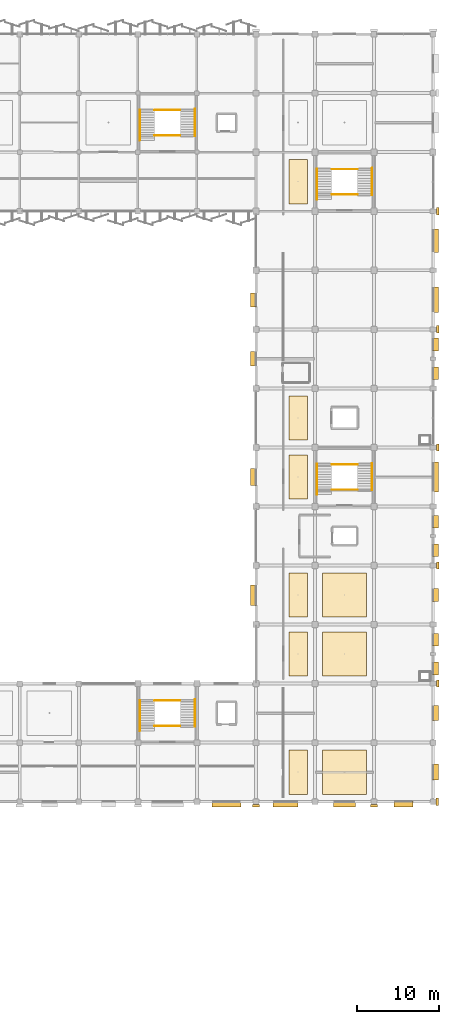
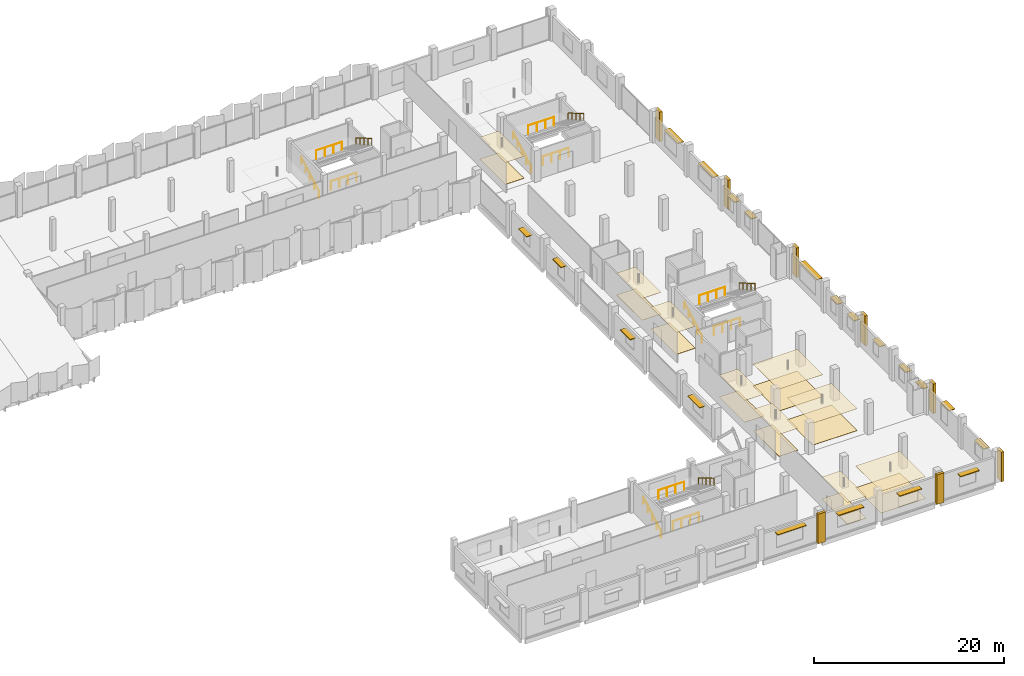
# One storey, part 107 of 108: 26 coverings, 20 shading devices, 16 railings.
"""IFC4 building model written with IfcOpenShell, lengths in metres."""

import ifcopenshell
import ifcopenshell.guid

model = None  # the IFC model being written
_history = None  # IfcOwnerHistory: only IFC2X3 demands one
_inside = {}  # id of a spatial element -> (the spatial element, [elements in it])
_under = {}  # id of a project, library or spatial element -> (it, [spatial elements below it])
_declared = {}  # id of a project -> (the project, [libraries it declares])
_typed = {}  # id of a type object -> (the type object, [elements of that type])
_made_of = {}  # id of a material, layer set ... -> (it, [elements and type objects made of it])


def new_model(schema):
    """Start an empty IFC model of exactly this schema.

    Asked for "IFC4X3", IfcOpenShell would pick the latest addendum, in which some entities
    have other attributes; the version numbers below select the first issue.
    IFC2X3 requires an IfcOwnerHistory on every rooted entity: one is made here for all.
    """
    global model, _history
    if schema == "IFC4X3":
        model = ifcopenshell.file(schema_version=(4, 3, 0, 0))
    else:
        model = ifcopenshell.file(schema=schema)
    _inside.clear()
    _under.clear()
    _declared.clear()
    _typed.clear()
    _made_of.clear()
    _history = None
    if model.schema == "IFC2X3":
        org = make("IfcOrganization", Name="unknown")
        user = make(
            "IfcPersonAndOrganization",
            ThePerson=make("IfcPerson", FamilyName="unknown"),
            TheOrganization=org,
        )
        app = make(
            "IfcApplication",
            ApplicationDeveloper=org,
            Version="unknown",
            ApplicationFullName="unknown",
            ApplicationIdentifier="unknown",
        )
        _history = make(
            "IfcOwnerHistory",
            OwningUser=user,
            OwningApplication=app,
            ChangeAction="ADDED",
            CreationDate=0,
        )
    return model


def make(cls, **values):
    """One entity of the class cls with the attributes given. An attribute that is None is left unset."""
    return model.create_entity(
        cls, **{name: value for name, value in values.items() if value is not None}
    )


def rooted(cls, **values):
    """An entity with a GlobalId (a new one), such as an element, a storey or a relation."""
    return make(cls, GlobalId=ifcopenshell.guid.new(), OwnerHistory=_history, **values)


def si_unit(unit_type, name, prefix=None):
    """IfcSIUnit, for example si_unit("LENGTHUNIT", "METRE", prefix="MILLI")."""
    return make("IfcSIUnit", UnitType=unit_type, Prefix=prefix, Name=name)


def assignment(units):
    """IfcUnitAssignment: the units of a project."""
    return None if units is None else make("IfcUnitAssignment", Units=units)


def point(xyz):
    """IfcCartesianPoint."""
    return None if xyz is None else make("IfcCartesianPoint", Coordinates=xyz)


def direction(xyz):
    """IfcDirection."""
    return None if xyz is None else make("IfcDirection", DirectionRatios=xyz)


def frame(location, z_axis=None, x_axis=None):
    """IfcAxis2Placement3D, a coordinate frame: its origin and axes. An axis left out is left unset."""
    return make(
        "IfcAxis2Placement3D",
        Location=point(location),
        Axis=direction(z_axis),
        RefDirection=direction(x_axis),
    )


def frame_2d(location, x_axis=None):
    """IfcAxis2Placement2D, a coordinate frame in the plane: its origin and x axis."""
    return make(
        "IfcAxis2Placement2D", Location=point(location), RefDirection=direction(x_axis)
    )


def origin():
    """The frame at (0, 0, 0) with its axes left unset."""
    return frame((0.0, 0.0, 0.0))


def origin_2d():
    """The frame at (0, 0) in the plane with its x axis left unset."""
    return frame_2d((0.0, 0.0))


def place(relative_to, where):
    """IfcLocalPlacement: puts the frame where relative to a parent placement (None: the world)."""
    return make(
        "IfcLocalPlacement", PlacementRelTo=relative_to, RelativePlacement=where
    )


def context(
    kind, dimensions, precision=None, world=None, true_north=None, identifier=None
):
    """IfcGeometricRepresentationContext, for example the 3D "Model" context."""
    return make(
        "IfcGeometricRepresentationContext",
        ContextIdentifier=identifier,
        ContextType=kind,
        CoordinateSpaceDimension=dimensions,
        Precision=precision,
        WorldCoordinateSystem=world,
        TrueNorth=true_north,
    )


def subcontext(parent, identifier, kind, view, scale=None):
    """IfcGeometricRepresentationSubContext, for example "Body" below "Model"."""
    return make(
        "IfcGeometricRepresentationSubContext",
        ContextIdentifier=identifier,
        ContextType=kind,
        ParentContext=parent,
        TargetScale=scale,
        TargetView=view,
    )


def project(units=None, contexts=None):
    """IfcProject with its units and contexts."""
    return rooted(
        "IfcProject",
        Name="project",
        RepresentationContexts=contexts,
        UnitsInContext=assignment(units),
    )


def spatial(cls, under=None, at=None, **own):
    """A site, building, storey or space (cls), placed at a placement, below another one or the project."""
    s = rooted(cls, ObjectPlacement=at, **own)
    if under is not None:
        _under.setdefault(under.id(), (under, []))[1].append(s)
    return s


def polyline(points):
    """IfcPolyline through the points."""
    return make("IfcPolyline", Points=[point(p) for p in points])


def profile(cls, at=None, kind="AREA", **sizes):
    """A parametric profile (cls). Its sizes go by their IFC names, for example OverallWidth=200.0."""
    return make(cls, ProfileType=kind, Position=at, **sizes)


def rectangle(**sizes):
    """IfcRectangleProfileDef."""
    return profile("IfcRectangleProfileDef", **sizes)


def circle(**sizes):
    """IfcCircleProfileDef."""
    return profile("IfcCircleProfileDef", **sizes)


def outline(outer, holes=None, kind="AREA"):
    """IfcArbitraryClosedProfileDef: a profile drawn as a closed curve; with holes, ...WithVoids."""
    if holes is None:
        return make("IfcArbitraryClosedProfileDef", ProfileType=kind, OuterCurve=outer)
    return make(
        "IfcArbitraryProfileDefWithVoids",
        ProfileType=kind,
        OuterCurve=outer,
        InnerCurves=holes,
    )


def extrude(swept, where, along, depth):
    """IfcExtrudedAreaSolid: the profile swept, set in the frame where, extruded along a direction by depth."""
    return make(
        "IfcExtrudedAreaSolid",
        SweptArea=swept,
        Position=where,
        ExtrudedDirection=direction(along),
        Depth=depth,
    )


def shape(context_of_items, identifier, shape_type, items):
    """IfcShapeRepresentation: the items that make up one representation, for example the "Body"."""
    return make(
        "IfcShapeRepresentation",
        ContextOfItems=context_of_items,
        RepresentationIdentifier=identifier,
        RepresentationType=shape_type,
        Items=items,
    )


def material(Name=None, Category=None):
    """IfcMaterial."""
    return make("IfcMaterial", Name=Name, Category=Category)


def layer(
    of_material, thickness, ventilated=None, Name=None, Category=None, Priority=None
):
    """IfcMaterialLayer: one layer of a wall or slab, of a material (None: an air gap)."""
    return make(
        "IfcMaterialLayer",
        Material=of_material,
        LayerThickness=thickness,
        IsVentilated=ventilated,
        Name=Name,
        Category=Category,
        Priority=Priority,
    )


def layer_set(layers, Name=None):
    """IfcMaterialLayerSet."""
    return make("IfcMaterialLayerSet", MaterialLayers=layers, LayerSetName=Name)


def made_of(thing, what):
    """Note that an element or type object is made of a material, layer set ...; save() writes the relation."""
    if what is not None:
        _made_of.setdefault(what.id(), (what, []))[1].append(thing)
    return thing


def type_object(cls, material=None, **own):
    """A type object (cls), such as IfcWallType, which elements share."""
    return made_of(rooted(cls, **own), material)


def element(
    cls,
    number,
    at=None,
    inside=None,
    cuts=None,
    type_object=None,
    material=None,
    context=None,
    identifier="Body",
    shape_type=None,
    held_by="IfcProductDefinitionShape",
    body=None,
    shapes=None,
    **own,
):
    """One element of the class cls, such as IfcWall. Its Tag is "e" and its number.

    at: its placement. inside: the storey or other place that contains it. cuts: it is an
    opening in that element (IfcRelVoidsElement). A single representation is given by context,
    identifier, shape_type and body (its items); several are given by shapes. held_by: the class
    of the entity that holds the representations. save() writes the other relations.
    """
    e = rooted(cls, Tag="e%d" % number, ObjectPlacement=at, **own)
    if body is not None:
        shapes = [shape(context, identifier, shape_type, body)]
    if shapes is not None:
        e.Representation = make(held_by, Representations=shapes)
    if inside is not None:
        _inside.setdefault(inside.id(), (inside, []))[1].append(e)
    if cuts is not None:
        rooted(
            "IfcRelVoidsElement", RelatingBuildingElement=cuts, RelatedOpeningElement=e
        )
    if type_object is not None:
        _typed.setdefault(type_object.id(), (type_object, []))[1].append(e)
    return made_of(e, material)


def aggregate(whole, parts):
    """IfcRelAggregates: a whole, such as a stair, and the parts it consists of."""
    return rooted("IfcRelAggregates", RelatingObject=whole, RelatedObjects=parts)


def save(model, path):
    """Write the relations noted so far, then the file.

    IfcRelAggregates (storeys below a building ...), IfcRelContainedInSpatialStructure (elements
    in a storey), IfcRelDefinesByType, IfcRelAssociatesMaterial and IfcRelDeclares: one each for
    every whole, place, type object, material and project.
    """
    for whole, parts in _under.values():
        aggregate(whole, parts)
    for where, things in _inside.values():
        rooted(
            "IfcRelContainedInSpatialStructure",
            RelatedElements=things,
            RelatingStructure=where,
        )
    for kind, things in _typed.values():
        rooted("IfcRelDefinesByType", RelatedObjects=things, RelatingType=kind)
    for what, things in _made_of.values():
        rooted("IfcRelAssociatesMaterial", RelatedObjects=things, RelatingMaterial=what)
    for by, libraries in _declared.values():
        rooted("IfcRelDeclares", RelatingContext=by, RelatedDefinitions=libraries)
    model.write(path)


model = new_model("IFC4")

# Units and contexts
model_context = context("Model", 3, precision=1e-05, world=origin(), true_north=direction((0.0, 1.0)))
body_context = subcontext(model_context, "Body", "Model", "MODEL_VIEW")
ifc_project = project(units=[si_unit("LENGTHUNIT", "METRE"), si_unit("AREAUNIT", "SQUARE_METRE"), si_unit("VOLUMEUNIT", "CUBIC_METRE"), si_unit("PLANEANGLEUNIT", "RADIAN"), si_unit("MASSUNIT", "GRAM", prefix="KILO")], contexts=[model_context])

# Site, building, storey
site_placement = place(None, origin())
site = spatial("IfcSite", under=ifc_project, at=site_placement, CompositionType="ELEMENT")
building_placement = place(site_placement, origin())
building = spatial("IfcBuilding", under=site, at=building_placement, Name="Kangsadwip Square Police Headquarters", CompositionType="ELEMENT")
storey_placement = place(building_placement, frame((0.0, 0.0, 9.449951171875)))
storey = spatial("IfcBuildingStorey", under=building, at=storey_placement, Name="L02", CompositionType="ELEMENT", Elevation=9.449951171875)

# Railings
ifc_material_1 = material(Name="Structural steel IS 2062 E250 (Grade 250, 250 MPa)", Category="steel")
railing_type_1 = type_object("IfcRailingType", Name="BalustradeGuard1100", PredefinedType="BALUSTRADE", material=ifc_material_1)
for number, where, name in (
    (1, (153.22998046875, 59.639892578125, 0.0), "Stair Guard ST-03 L02-82"),
    (2, (153.22998046875, 62.719970703125, 2.10595703125), "Stair Guard ST-03 L02-83"),
    (3, (153.22998046875, 95.639892578125, 0.0), "Stair Guard ST-04 L02-114"),
    (4, (153.22998046875, 98.719970703125, 2.10595703125), "Stair Guard ST-04 L02-115"),
    (5, (131.6298828125, 102.840087890625, 0.0), "Stair Guard ST-05 L02-134"),
    (6, (131.6298828125, 105.919921875, 2.10595703125), "Stair Guard ST-05 L02-135"),
    (7, (131.6298828125, 30.840087890625, 0.0), "Stair Guard ST-06 L02-150"),
    (8, (131.6298828125, 33.919921875, 2.10595703125), "Stair Guard ST-06 L02-151"),
):
    element("IfcRailing", number, at=place(storey_placement, frame(where)), inside=storey, type_object=railing_type_1, Name=name, PredefinedType="BALUSTRADE", context=body_context, shape_type="SweptSolid", body=[
        extrude(circle(Radius=0.02392578125, at=origin_2d()), frame((0.0, 0.0, 1.09619140625), z_axis=(1.0, 0.0, 0.0), x_axis=(0.0, 1.0, 0.0)), (0.0, 0.0, 1.0), 3.14013671875),
        extrude(circle(Radius=0.02099609375, at=origin_2d()), origin(), (0.0, 0.0, 1.0), 1.072021484375),
        extrude(circle(Radius=0.02099609375, at=origin_2d()), frame((1.046630859375, 0.0, 0.0)), (0.0, 0.0, 1.0), 1.072021484375),
        extrude(circle(Radius=0.02099609375, at=origin_2d()), frame((2.093505859375, 0.0, 0.0)), (0.0, 0.0, 1.0), 1.072021484375),
        extrude(circle(Radius=0.02099609375, at=origin_2d()), frame((3.14013671875, 0.0, 0.0)), (0.0, 0.0, 1.0), 1.072021484375),
    ])

# Coverings
ifc_material_2 = material(Name="Seamless anti-static epoxy and polished Kota stone interior flooring", Category="masonry")
ifc_layer_1 = layer(ifc_material_2, 0.02001953125)
ifc_layer_set_1 = layer_set([ifc_layer_1], Name="Seamless anti-static epoxy and polished Kota stone interior flooring")
covering_type_1 = type_object("IfcCoveringType", Name="InteriorStoneEpoxyFloor", PredefinedType="FLOORING", material=ifc_layer_set_1)
covering_1_placement = place(storey_placement, origin())
element("IfcCovering", 9, at=covering_1_placement, inside=storey, type_object=covering_type_1, Name="Interior Floor Finish L02-089", PredefinedType="FLOORING", context=body_context, shape_type="SweptSolid", body=[
    extrude(outline(polyline([(148.0, 94.5), (150.300048828125, 94.5), (150.300048828125, 99.89990234375), (148.0, 99.89990234375), (148.0, 94.5)])), origin(), (0.0, 0.0, 1.0), 0.02001953125),
])
covering_2_placement = place(storey_placement, origin())
element("IfcCovering", 10, at=covering_2_placement, inside=storey, type_object=covering_type_1, Name="Interior Floor Finish L02-101", PredefinedType="FLOORING", context=body_context, shape_type="SweptSolid", body=[
    extrude(outline(polyline([(148.0, 36.89990234375), (150.300048828125, 36.89990234375), (150.300048828125, 42.300048828125), (148.0, 42.300048828125), (148.0, 36.89990234375)])), origin(), (0.0, 0.0, 1.0), 0.02001953125),
])
covering_3_placement = place(storey_placement, origin())
element("IfcCovering", 11, at=covering_3_placement, inside=storey, type_object=covering_type_1, Name="Interior Floor Finish L02-102", PredefinedType="FLOORING", context=body_context, shape_type="SweptSolid", body=[
    extrude(outline(polyline([(152.10009765625, 36.89990234375), (157.5, 36.89990234375), (157.5, 42.300048828125), (152.10009765625, 42.300048828125), (152.10009765625, 36.89990234375)])), origin(), (0.0, 0.0, 1.0), 0.02001953125),
])
covering_4_placement = place(storey_placement, origin())
element("IfcCovering", 12, at=covering_4_placement, inside=storey, type_object=covering_type_1, Name="Interior Floor Finish L02-103", PredefinedType="FLOORING", context=body_context, shape_type="SweptSolid", body=[
    extrude(outline(polyline([(148.0, 44.10009765625), (150.300048828125, 44.10009765625), (150.300048828125, 49.5), (148.0, 49.5), (148.0, 44.10009765625)])), origin(), (0.0, 0.0, 1.0), 0.02001953125),
])
covering_5_placement = place(storey_placement, origin())
element("IfcCovering", 13, at=covering_5_placement, inside=storey, type_object=covering_type_1, Name="Interior Floor Finish L02-104", PredefinedType="FLOORING", context=body_context, shape_type="SweptSolid", body=[
    extrude(outline(polyline([(152.10009765625, 44.10009765625), (157.5, 44.10009765625), (157.5, 49.5), (152.10009765625, 49.5), (152.10009765625, 44.10009765625)])), origin(), (0.0, 0.0, 1.0), 0.02001953125),
])
covering_6_placement = place(storey_placement, origin())
element("IfcCovering", 14, at=covering_6_placement, inside=storey, type_object=covering_type_1, Name="Interior Floor Finish L02-105", PredefinedType="FLOORING", context=body_context, shape_type="SweptSolid", body=[
    extrude(outline(polyline([(148.0, 58.5), (150.300048828125, 58.5), (150.300048828125, 63.89990234375), (148.0, 63.89990234375), (148.0, 58.5)])), origin(), (0.0, 0.0, 1.0), 0.02001953125),
])
covering_7_placement = place(storey_placement, origin())
element("IfcCovering", 15, at=covering_7_placement, inside=storey, type_object=covering_type_1, Name="Interior Floor Finish L02-106", PredefinedType="FLOORING", context=body_context, shape_type="SweptSolid", body=[
    extrude(outline(polyline([(148.0, 65.699951171875), (150.300048828125, 65.699951171875), (150.300048828125, 71.10009765625), (148.0, 71.10009765625), (148.0, 65.699951171875)])), origin(), (0.0, 0.0, 1.0), 0.02001953125),
])
covering_8_placement = place(storey_placement, origin())
element("IfcCovering", 16, at=covering_8_placement, inside=storey, type_object=covering_type_1, Name="Interior Floor Finish L02-109", PredefinedType="FLOORING", context=body_context, shape_type="SweptSolid", body=[
    extrude(outline(polyline([(148.0, 22.5), (150.300048828125, 22.5), (150.300048828125, 27.89990234375), (148.0, 27.89990234375), (148.0, 22.5)])), origin(), (0.0, 0.0, 1.0), 0.02001953125),
])
covering_9_placement = place(storey_placement, origin())
element("IfcCovering", 17, at=covering_9_placement, inside=storey, type_object=covering_type_1, Name="Interior Floor Finish L02-110", PredefinedType="FLOORING", context=body_context, shape_type="SweptSolid", body=[
    extrude(outline(polyline([(152.10009765625, 22.5), (157.5, 22.5), (157.5, 27.89990234375), (152.10009765625, 27.89990234375), (152.10009765625, 22.5)])), origin(), (0.0, 0.0, 1.0), 0.02001953125),
])

# Railings
ifc_material_3 = material(Name="Structural steel IS 2062 E250 (Grade 250, 250 MPa)", Category="steel")
railing_type_2 = type_object("IfcRailingType", Name="StairPitchHandrail900", PredefinedType="HANDRAIL", material=ifc_material_3)
railing_1_placement = place(storey_placement, frame((151.43994140625, 59.0400390625, 0.0)))
element("IfcRailing", 18, at=railing_1_placement, inside=storey, type_object=railing_type_2, Name="Stair Handrail ST-03 L02-84", PredefinedType="HANDRAIL", context=body_context, shape_type="SweptSolid", body=[
    extrude(circle(Radius=0.02392578125, at=origin_2d()), frame((0.0, 0.0, 0.8759765625), z_axis=(0.0, 0.870225440575, 0.492653714668), x_axis=(-1.0, 0.0, 0.0)), (0.0, 0.0, 1.0), 4.274658203125),
    extrude(circle(Radius=0.02099609375, at=origin_2d()), origin(), (0.0, 0.0, 1.0), 0.851806640625),
    extrude(circle(Radius=0.02099609375, at=origin_2d()), frame((0.0, 0.929931640625, 0.5263671875)), (0.0, 0.0, 1.0), 0.851806640625),
    extrude(circle(Radius=0.02099609375, at=origin_2d()), frame((0.0, 1.85986328125, 1.052978515625)), (0.0, 0.0, 1.0), 0.851806640625),
    extrude(circle(Radius=0.02099609375, at=origin_2d()), frame((0.0, 2.7900390625, 1.57958984375)), (0.0, 0.0, 1.0), 0.851806640625),
    extrude(circle(Radius=0.02099609375, at=origin_2d()), frame((0.0, 3.719970703125, 2.10595703125)), (0.0, 0.0, 1.0), 0.851806640625),
])
railing_2_placement = place(storey_placement, frame((158.159912109375, 62.860107421875, 2.10595703125)))
element("IfcRailing", 19, at=railing_2_placement, inside=storey, type_object=railing_type_2, Name="Stair Handrail ST-03 L02-85", PredefinedType="HANDRAIL", context=body_context, shape_type="SweptSolid", body=[
    extrude(circle(Radius=0.02392578125, at=origin_2d()), frame((0.0, 0.0, 0.8759765625), z_axis=(0.0, -0.860248887005, 0.509874349626), x_axis=(1.0, 0.0, 0.0)), (0.0, 0.0, 1.0), 3.81298828125),
    extrude(circle(Radius=0.02099609375, at=origin_2d()), origin(), (0.0, 0.0, 1.0), 0.851806640625),
    extrude(circle(Radius=0.02099609375, at=origin_2d()), frame((0.0, -0.820068359375, 0.486083984375)), (0.0, 0.0, 1.0), 0.851806640625),
    extrude(circle(Radius=0.02099609375, at=origin_2d()), frame((0.0, -1.64013671875, 0.97216796875)), (0.0, 0.0, 1.0), 0.851806640625),
    extrude(circle(Radius=0.02099609375, at=origin_2d()), frame((0.0, -2.4599609375, 1.4580078125)), (0.0, 0.0, 1.0), 0.851806640625),
    extrude(circle(Radius=0.02099609375, at=origin_2d()), frame((0.0, -3.280029296875, 1.944091796875)), (0.0, 0.0, 1.0), 0.851806640625),
])
railing_3_placement = place(storey_placement, frame((151.43994140625, 95.0400390625, 0.0)))
element("IfcRailing", 20, at=railing_3_placement, inside=storey, type_object=railing_type_2, Name="Stair Handrail ST-04 L02-116", PredefinedType="HANDRAIL", context=body_context, shape_type="SweptSolid", body=[
    extrude(circle(Radius=0.02392578125, at=origin_2d()), frame((0.0, 0.0, 0.8759765625), z_axis=(0.0, 0.870225440575, 0.492653714668), x_axis=(-1.0, 0.0, 0.0)), (0.0, 0.0, 1.0), 4.274658203125),
    extrude(circle(Radius=0.02099609375, at=origin_2d()), origin(), (0.0, 0.0, 1.0), 0.851806640625),
    extrude(circle(Radius=0.02099609375, at=origin_2d()), frame((0.0, 0.929931640625, 0.5263671875)), (0.0, 0.0, 1.0), 0.851806640625),
    extrude(circle(Radius=0.02099609375, at=origin_2d()), frame((0.0, 1.85986328125, 1.052978515625)), (0.0, 0.0, 1.0), 0.851806640625),
    extrude(circle(Radius=0.02099609375, at=origin_2d()), frame((0.0, 2.7900390625, 1.57958984375)), (0.0, 0.0, 1.0), 0.851806640625),
    extrude(circle(Radius=0.02099609375, at=origin_2d()), frame((0.0, 3.719970703125, 2.10595703125)), (0.0, 0.0, 1.0), 0.851806640625),
])
railing_4_placement = place(storey_placement, frame((158.159912109375, 98.860107421875, 2.10595703125)))
element("IfcRailing", 21, at=railing_4_placement, inside=storey, type_object=railing_type_2, Name="Stair Handrail ST-04 L02-117", PredefinedType="HANDRAIL", context=body_context, shape_type="SweptSolid", body=[
    extrude(circle(Radius=0.02392578125, at=origin_2d()), frame((0.0, 0.0, 0.8759765625), z_axis=(0.0, -0.860248887005, 0.509874349626), x_axis=(1.0, 0.0, 0.0)), (0.0, 0.0, 1.0), 3.81298828125),
    extrude(circle(Radius=0.02099609375, at=origin_2d()), origin(), (0.0, 0.0, 1.0), 0.851806640625),
    extrude(circle(Radius=0.02099609375, at=origin_2d()), frame((0.0, -0.820068359375, 0.486083984375)), (0.0, 0.0, 1.0), 0.851806640625),
    extrude(circle(Radius=0.02099609375, at=origin_2d()), frame((0.0, -1.64013671875, 0.97216796875)), (0.0, 0.0, 1.0), 0.851806640625),
    extrude(circle(Radius=0.02099609375, at=origin_2d()), frame((0.0, -2.4599609375, 1.4580078125)), (0.0, 0.0, 1.0), 0.851806640625),
    extrude(circle(Radius=0.02099609375, at=origin_2d()), frame((0.0, -3.280029296875, 1.944091796875)), (0.0, 0.0, 1.0), 0.851806640625),
])
railing_5_placement = place(storey_placement, frame((129.840087890625, 102.239990234375, 0.0)))
element("IfcRailing", 22, at=railing_5_placement, inside=storey, type_object=railing_type_2, Name="Stair Handrail ST-05 L02-136", PredefinedType="HANDRAIL", context=body_context, shape_type="SweptSolid", body=[
    extrude(circle(Radius=0.02392578125, at=origin_2d()), frame((0.0, 0.0, 0.8759765625), z_axis=(0.0, 0.870225440575, 0.492653714668), x_axis=(-1.0, 0.0, 0.0)), (0.0, 0.0, 1.0), 4.274658203125),
    extrude(circle(Radius=0.02099609375, at=origin_2d()), origin(), (0.0, 0.0, 1.0), 0.851806640625),
    extrude(circle(Radius=0.02099609375, at=origin_2d()), frame((0.0, 0.929931640625, 0.5263671875)), (0.0, 0.0, 1.0), 0.851806640625),
    extrude(circle(Radius=0.02099609375, at=origin_2d()), frame((0.0, 1.85986328125, 1.052978515625)), (0.0, 0.0, 1.0), 0.851806640625),
    extrude(circle(Radius=0.02099609375, at=origin_2d()), frame((0.0, 2.7900390625, 1.57958984375)), (0.0, 0.0, 1.0), 0.851806640625),
    extrude(circle(Radius=0.02099609375, at=origin_2d()), frame((0.0, 3.719970703125, 2.10595703125)), (0.0, 0.0, 1.0), 0.851806640625),
])
railing_6_placement = place(storey_placement, frame((136.56005859375, 106.06005859375, 2.10595703125)))
element("IfcRailing", 23, at=railing_6_placement, inside=storey, type_object=railing_type_2, Name="Stair Handrail ST-05 L02-137", PredefinedType="HANDRAIL", context=body_context, shape_type="SweptSolid", body=[
    extrude(circle(Radius=0.02392578125, at=origin_2d()), frame((0.0, 0.0, 0.8759765625), z_axis=(0.0, -0.860248887005, 0.509874349626), x_axis=(1.0, 0.0, 0.0)), (0.0, 0.0, 1.0), 3.81298828125),
    extrude(circle(Radius=0.02099609375, at=origin_2d()), origin(), (0.0, 0.0, 1.0), 0.851806640625),
    extrude(circle(Radius=0.02099609375, at=origin_2d()), frame((0.0, -0.820068359375, 0.486083984375)), (0.0, 0.0, 1.0), 0.851806640625),
    extrude(circle(Radius=0.02099609375, at=origin_2d()), frame((0.0, -1.64013671875, 0.97216796875)), (0.0, 0.0, 1.0), 0.851806640625),
    extrude(circle(Radius=0.02099609375, at=origin_2d()), frame((0.0, -2.4599609375, 1.4580078125)), (0.0, 0.0, 1.0), 0.851806640625),
    extrude(circle(Radius=0.02099609375, at=origin_2d()), frame((0.0, -3.280029296875, 1.944091796875)), (0.0, 0.0, 1.0), 0.851806640625),
])
railing_7_placement = place(storey_placement, frame((129.840087890625, 30.239990234375, 0.0)))
element("IfcRailing", 24, at=railing_7_placement, inside=storey, type_object=railing_type_2, Name="Stair Handrail ST-06 L02-152", PredefinedType="HANDRAIL", context=body_context, shape_type="SweptSolid", body=[
    extrude(circle(Radius=0.02392578125, at=origin_2d()), frame((0.0, 0.0, 0.8759765625), z_axis=(0.0, 0.870225440575, 0.492653714668), x_axis=(-1.0, 0.0, 0.0)), (0.0, 0.0, 1.0), 4.274658203125),
    extrude(circle(Radius=0.02099609375, at=origin_2d()), origin(), (0.0, 0.0, 1.0), 0.851806640625),
    extrude(circle(Radius=0.02099609375, at=origin_2d()), frame((0.0, 0.929931640625, 0.5263671875)), (0.0, 0.0, 1.0), 0.851806640625),
    extrude(circle(Radius=0.02099609375, at=origin_2d()), frame((0.0, 1.85986328125, 1.052978515625)), (0.0, 0.0, 1.0), 0.851806640625),
    extrude(circle(Radius=0.02099609375, at=origin_2d()), frame((0.0, 2.7900390625, 1.57958984375)), (0.0, 0.0, 1.0), 0.851806640625),
    extrude(circle(Radius=0.02099609375, at=origin_2d()), frame((0.0, 3.719970703125, 2.10595703125)), (0.0, 0.0, 1.0), 0.851806640625),
])
railing_8_placement = place(storey_placement, frame((136.56005859375, 34.06005859375, 2.10595703125)))
element("IfcRailing", 25, at=railing_8_placement, inside=storey, type_object=railing_type_2, Name="Stair Handrail ST-06 L02-153", PredefinedType="HANDRAIL", context=body_context, shape_type="SweptSolid", body=[
    extrude(circle(Radius=0.02392578125, at=origin_2d()), frame((0.0, 0.0, 0.8759765625), z_axis=(0.0, -0.860248887005, 0.509874349626), x_axis=(1.0, 0.0, 0.0)), (0.0, 0.0, 1.0), 3.81298828125),
    extrude(circle(Radius=0.02099609375, at=origin_2d()), origin(), (0.0, 0.0, 1.0), 0.851806640625),
    extrude(circle(Radius=0.02099609375, at=origin_2d()), frame((0.0, -0.820068359375, 0.486083984375)), (0.0, 0.0, 1.0), 0.851806640625),
    extrude(circle(Radius=0.02099609375, at=origin_2d()), frame((0.0, -1.64013671875, 0.97216796875)), (0.0, 0.0, 1.0), 0.851806640625),
    extrude(circle(Radius=0.02099609375, at=origin_2d()), frame((0.0, -2.4599609375, 1.4580078125)), (0.0, 0.0, 1.0), 0.851806640625),
    extrude(circle(Radius=0.02099609375, at=origin_2d()), frame((0.0, -3.280029296875, 1.944091796875)), (0.0, 0.0, 1.0), 0.851806640625),
])

# Coverings
ifc_material_4 = material(Name="Perforated mineral-fibre and acoustic baffle suspended ceiling", Category="wood")
ifc_layer_2 = layer(ifc_material_4, 0.02490234375)
ifc_layer_set_2 = layer_set([ifc_layer_2], Name="Perforated mineral-fibre and acoustic baffle suspended ceiling")
covering_type_2 = type_object("IfcCoveringType", Name="SuspendedAcousticCeiling", PredefinedType="CEILING", material=ifc_layer_set_2)
covering_10_placement = place(storey_placement, frame((0.0, 0.0, 2.800048828125)))
element("IfcCovering", 26, at=covering_10_placement, inside=storey, type_object=covering_type_2, Name="Suspended Acoustic Ceiling L02-089", PredefinedType="CEILING", context=body_context, shape_type="SweptSolid", body=[
    extrude(outline(polyline([(148.0, 94.5), (150.300048828125, 94.5), (150.300048828125, 99.89990234375), (148.0, 99.89990234375), (148.0, 94.5)])), origin(), (0.0, 0.0, 1.0), 0.02490234375),
])
covering_11_placement = place(storey_placement, frame((0.0, 0.0, 2.800048828125)))
element("IfcCovering", 27, at=covering_11_placement, inside=storey, type_object=covering_type_2, Name="Suspended Acoustic Ceiling L02-101", PredefinedType="CEILING", context=body_context, shape_type="SweptSolid", body=[
    extrude(outline(polyline([(148.0, 36.89990234375), (150.300048828125, 36.89990234375), (150.300048828125, 42.300048828125), (148.0, 42.300048828125), (148.0, 36.89990234375)])), origin(), (0.0, 0.0, 1.0), 0.02490234375),
])
covering_12_placement = place(storey_placement, frame((0.0, 0.0, 2.800048828125)))
element("IfcCovering", 28, at=covering_12_placement, inside=storey, type_object=covering_type_2, Name="Suspended Acoustic Ceiling L02-102", PredefinedType="CEILING", context=body_context, shape_type="SweptSolid", body=[
    extrude(outline(polyline([(152.10009765625, 36.89990234375), (157.5, 36.89990234375), (157.5, 42.300048828125), (152.10009765625, 42.300048828125), (152.10009765625, 36.89990234375)])), origin(), (0.0, 0.0, 1.0), 0.02490234375),
])
covering_13_placement = place(storey_placement, frame((0.0, 0.0, 2.800048828125)))
element("IfcCovering", 29, at=covering_13_placement, inside=storey, type_object=covering_type_2, Name="Suspended Acoustic Ceiling L02-103", PredefinedType="CEILING", context=body_context, shape_type="SweptSolid", body=[
    extrude(outline(polyline([(148.0, 44.10009765625), (150.300048828125, 44.10009765625), (150.300048828125, 49.5), (148.0, 49.5), (148.0, 44.10009765625)])), origin(), (0.0, 0.0, 1.0), 0.02490234375),
])
covering_14_placement = place(storey_placement, frame((0.0, 0.0, 2.800048828125)))
element("IfcCovering", 30, at=covering_14_placement, inside=storey, type_object=covering_type_2, Name="Suspended Acoustic Ceiling L02-104", PredefinedType="CEILING", context=body_context, shape_type="SweptSolid", body=[
    extrude(outline(polyline([(152.10009765625, 44.10009765625), (157.5, 44.10009765625), (157.5, 49.5), (152.10009765625, 49.5), (152.10009765625, 44.10009765625)])), origin(), (0.0, 0.0, 1.0), 0.02490234375),
])
covering_15_placement = place(storey_placement, frame((0.0, 0.0, 2.800048828125)))
element("IfcCovering", 31, at=covering_15_placement, inside=storey, type_object=covering_type_2, Name="Suspended Acoustic Ceiling L02-105", PredefinedType="CEILING", context=body_context, shape_type="SweptSolid", body=[
    extrude(outline(polyline([(148.0, 58.5), (150.300048828125, 58.5), (150.300048828125, 63.89990234375), (148.0, 63.89990234375), (148.0, 58.5)])), origin(), (0.0, 0.0, 1.0), 0.02490234375),
])
covering_16_placement = place(storey_placement, frame((0.0, 0.0, 2.800048828125)))
element("IfcCovering", 32, at=covering_16_placement, inside=storey, type_object=covering_type_2, Name="Suspended Acoustic Ceiling L02-106", PredefinedType="CEILING", context=body_context, shape_type="SweptSolid", body=[
    extrude(outline(polyline([(148.0, 65.699951171875), (150.300048828125, 65.699951171875), (150.300048828125, 71.10009765625), (148.0, 71.10009765625), (148.0, 65.699951171875)])), origin(), (0.0, 0.0, 1.0), 0.02490234375),
])
covering_17_placement = place(storey_placement, frame((0.0, 0.0, 2.800048828125)))
element("IfcCovering", 33, at=covering_17_placement, inside=storey, type_object=covering_type_2, Name="Suspended Acoustic Ceiling L02-109", PredefinedType="CEILING", context=body_context, shape_type="SweptSolid", body=[
    extrude(outline(polyline([(148.0, 22.5), (150.300048828125, 22.5), (150.300048828125, 27.89990234375), (148.0, 27.89990234375), (148.0, 22.5)])), origin(), (0.0, 0.0, 1.0), 0.02490234375),
])
covering_18_placement = place(storey_placement, frame((0.0, 0.0, 2.800048828125)))
element("IfcCovering", 34, at=covering_18_placement, inside=storey, type_object=covering_type_2, Name="Suspended Acoustic Ceiling L02-110", PredefinedType="CEILING", context=body_context, shape_type="SweptSolid", body=[
    extrude(outline(polyline([(152.10009765625, 22.5), (157.5, 22.5), (157.5, 27.89990234375), (152.10009765625, 27.89990234375), (152.10009765625, 22.5)])), origin(), (0.0, 0.0, 1.0), 0.02490234375),
])
ifc_material_5 = material(Name="Glazed architectural terracotta masonry rainscreen", Category="masonry")
ifc_layer_3 = layer(ifc_material_5, 0.034912109375)
ifc_layer_set_3 = layer_set([ifc_layer_3], Name="Glazed architectural terracotta masonry rainscreen")
covering_type_3 = type_object("IfcCoveringType", Name="TerracottaPierCladding", PredefinedType="CLADDING", material=ifc_layer_set_3)
covering_19_placement = place(storey_placement, origin())
element("IfcCovering", 35, at=covering_19_placement, inside=storey, type_object=covering_type_3, Name="Terracotta Pier Cladding L02-066", PredefinedType="CLADDING", context=body_context, shape_type="SweptSolid", body=[
    extrude(outline(polyline([(165.929931640625, 21.159912109375), (166.25, 21.159912109375), (166.25, 22.0400390625), (165.929931640625, 22.0400390625), (165.929931640625, 21.159912109375)])), origin(), (0.0, 0.0, 1.0), 3.800048828125),
])
covering_20_placement = place(storey_placement, origin())
element("IfcCovering", 36, at=covering_20_placement, inside=storey, type_object=covering_type_3, Name="Terracotta Pier Cladding L02-067", PredefinedType="CLADDING", context=body_context, shape_type="SweptSolid", body=[
    extrude(outline(polyline([(165.97998046875, 35.56005859375), (166.300048828125, 35.56005859375), (166.300048828125, 36.43994140625), (165.97998046875, 36.43994140625), (165.97998046875, 35.56005859375)])), origin(), (0.0, 0.0, 1.0), 3.800048828125),
])
covering_21_placement = place(storey_placement, origin())
element("IfcCovering", 37, at=covering_21_placement, inside=storey, type_object=covering_type_3, Name="Terracotta Pier Cladding L02-068", PredefinedType="CLADDING", context=body_context, shape_type="SweptSolid", body=[
    extrude(outline(polyline([(165.97998046875, 49.9599609375), (166.300048828125, 49.9599609375), (166.300048828125, 50.840087890625), (165.97998046875, 50.840087890625), (165.97998046875, 49.9599609375)])), origin(), (0.0, 0.0, 1.0), 3.800048828125),
])
covering_22_placement = place(storey_placement, origin())
element("IfcCovering", 38, at=covering_22_placement, inside=storey, type_object=covering_type_3, Name="Terracotta Pier Cladding L02-069", PredefinedType="CLADDING", context=body_context, shape_type="SweptSolid", body=[
    extrude(outline(polyline([(165.97998046875, 64.360107421875), (166.300048828125, 64.360107421875), (166.300048828125, 65.239990234375), (165.97998046875, 65.239990234375), (165.97998046875, 64.360107421875)])), origin(), (0.0, 0.0, 1.0), 3.800048828125),
])
covering_23_placement = place(storey_placement, origin())
element("IfcCovering", 39, at=covering_23_placement, inside=storey, type_object=covering_type_3, Name="Terracotta Pier Cladding L02-070", PredefinedType="CLADDING", context=body_context, shape_type="SweptSolid", body=[
    extrude(outline(polyline([(165.97998046875, 78.760009765625), (166.300048828125, 78.760009765625), (166.300048828125, 79.639892578125), (165.97998046875, 79.639892578125), (165.97998046875, 78.760009765625)])), origin(), (0.0, 0.0, 1.0), 3.800048828125),
])
covering_24_placement = place(storey_placement, origin())
element("IfcCovering", 40, at=covering_24_placement, inside=storey, type_object=covering_type_3, Name="Terracotta Pier Cladding L02-071", PredefinedType="CLADDING", context=body_context, shape_type="SweptSolid", body=[
    extrude(outline(polyline([(165.97998046875, 93.159912109375), (166.300048828125, 93.159912109375), (166.300048828125, 94.0400390625), (165.97998046875, 94.0400390625), (165.97998046875, 93.159912109375)])), origin(), (0.0, 0.0, 1.0), 3.800048828125),
])
covering_25_placement = place(storey_placement, origin())
element("IfcCovering", 41, at=covering_25_placement, inside=storey, type_object=covering_type_3, Name="Terracotta Pier Cladding L02-081", PredefinedType="CLADDING", context=body_context, shape_type="SweptSolid", body=[
    extrude(outline(polyline([(143.56005859375, 20.949951171875), (144.43994140625, 20.949951171875), (144.43994140625, 21.27001953125), (143.56005859375, 21.27001953125), (143.56005859375, 20.949951171875)])), origin(), (0.0, 0.0, 1.0), 3.800048828125),
])
covering_26_placement = place(storey_placement, origin())
element("IfcCovering", 42, at=covering_26_placement, inside=storey, type_object=covering_type_3, Name="Terracotta Pier Cladding L02-082", PredefinedType="CLADDING", context=body_context, shape_type="SweptSolid", body=[
    extrude(outline(polyline([(157.9599609375, 20.949951171875), (158.840087890625, 20.949951171875), (158.840087890625, 21.27001953125), (157.9599609375, 21.27001953125), (157.9599609375, 20.949951171875)])), origin(), (0.0, 0.0, 1.0), 3.800048828125),
])

# Shading devices
ifc_material_6 = material(Name="Architectural terracotta and anodised aluminium AW-6061-T6", Category="aluminium")
shading_device_type = type_object("IfcShadingDeviceType", Name="TerracottaChhajjaAwning", PredefinedType="AWNING", material=ifc_material_6)
shading_device_1_placement = place(storey_placement, frame((140.39990234375, 21.300048828125, 2.81494140625), z_axis=(0.0, 0.0, 1.0), x_axis=(1.0, 0.0, 0.0)))
element("IfcShadingDevice", 43, at=shading_device_1_placement, inside=storey, type_object=shading_device_type, Name="Terracotta Chhajja Hood CHJ-L02-0107", PredefinedType="AWNING", context=body_context, shape_type="SweptSolid", body=[
    extrude(rectangle(XDim=3.5, YDim=0.719970703125, at=origin_2d()), origin(), (0.0, 0.0, 1.0), 0.090087890625),
])
shading_device_2_placement = place(storey_placement, frame((147.60009765625, 21.300048828125, 2.71484375), z_axis=(0.0, 0.0, 1.0), x_axis=(1.0, 0.0, 0.0)))
element("IfcShadingDevice", 44, at=shading_device_2_placement, inside=storey, type_object=shading_device_type, Name="Terracotta Chhajja Hood CHJ-L02-0108", PredefinedType="AWNING", context=body_context, shape_type="SweptSolid", body=[
    extrude(rectangle(XDim=3.10009765625, YDim=0.719970703125, at=origin_2d()), origin(), (0.0, 0.0, 1.0), 0.090087890625),
])
shading_device_3_placement = place(storey_placement, frame((154.800048828125, 21.300048828125, 2.615234375), z_axis=(0.0, 0.0, 1.0), x_axis=(1.0, 0.0, 0.0)))
element("IfcShadingDevice", 45, at=shading_device_3_placement, inside=storey, type_object=shading_device_type, Name="Terracotta Chhajja Hood CHJ-L02-0109", PredefinedType="AWNING", context=body_context, shape_type="SweptSolid", body=[
    extrude(rectangle(XDim=2.699951171875, YDim=0.719970703125, at=origin_2d()), origin(), (0.0, 0.0, 1.0), 0.090087890625),
])
shading_device_4_placement = place(storey_placement, frame((162.0, 21.300048828125, 2.51513671875), z_axis=(0.0, 0.0, 1.0), x_axis=(1.0, 0.0, 0.0)))
element("IfcShadingDevice", 46, at=shading_device_4_placement, inside=storey, type_object=shading_device_type, Name="Terracotta Chhajja Hood CHJ-L02-0110", PredefinedType="AWNING", context=body_context, shape_type="SweptSolid", body=[
    extrude(rectangle(XDim=2.300048828125, YDim=0.719970703125, at=origin_2d()), origin(), (0.0, 0.0, 1.0), 0.090087890625),
])
shading_device_5_placement = place(storey_placement, frame((143.699951171875, 46.800048828125, 2.56494140625), z_axis=(0.0, 0.0, 1.0), x_axis=(0.0, 1.0, 0.0)))
element("IfcShadingDevice", 47, at=shading_device_5_placement, inside=storey, type_object=shading_device_type, Name="Terracotta Chhajja Hood CHJ-L02-0142", PredefinedType="AWNING", context=body_context, shape_type="SweptSolid", body=[
    extrude(rectangle(XDim=2.5, YDim=0.719970703125, at=origin_2d()), origin(), (0.0, 0.0, 1.0), 0.090087890625),
])
shading_device_6_placement = place(storey_placement, frame((143.699951171875, 61.199951171875, 2.46484375), z_axis=(0.0, 0.0, 1.0), x_axis=(0.0, 1.0, 0.0)))
element("IfcShadingDevice", 48, at=shading_device_6_placement, inside=storey, type_object=shading_device_type, Name="Terracotta Chhajja Hood CHJ-L02-0143", PredefinedType="AWNING", context=body_context, shape_type="SweptSolid", body=[
    extrude(rectangle(XDim=2.10009765625, YDim=0.719970703125, at=origin_2d()), origin(), (0.0, 0.0, 1.0), 0.090087890625),
])
shading_device_7_placement = place(storey_placement, frame((143.699951171875, 75.60009765625, 2.9150390625), z_axis=(0.0, 0.0, 1.0), x_axis=(0.0, 1.0, 0.0)))
element("IfcShadingDevice", 49, at=shading_device_7_placement, inside=storey, type_object=shading_device_type, Name="Terracotta Chhajja Hood CHJ-L02-0144", PredefinedType="AWNING", context=body_context, shape_type="SweptSolid", body=[
    extrude(rectangle(XDim=1.800048828125, YDim=0.719970703125, at=origin_2d()), origin(), (0.0, 0.0, 1.0), 0.090087890625),
])
shading_device_8_placement = place(storey_placement, frame((143.699951171875, 82.800048828125, 2.46484375), z_axis=(0.0, 0.0, 1.0), x_axis=(0.0, 1.0, 0.0)))
element("IfcShadingDevice", 50, at=shading_device_8_placement, inside=storey, type_object=shading_device_type, Name="Terracotta Chhajja Hood CHJ-L02-0145", PredefinedType="AWNING", context=body_context, shape_type="SweptSolid", body=[
    extrude(rectangle(XDim=1.699951171875, YDim=0.719970703125, at=origin_2d()), origin(), (0.0, 0.0, 1.0), 0.090087890625),
])
shading_device_9_placement = place(storey_placement, frame((165.89990234375, 25.199951171875, 2.4150390625), z_axis=(0.0, 0.0, 1.0), x_axis=(0.0, 1.0, 0.0)))
element("IfcShadingDevice", 51, at=shading_device_9_placement, inside=storey, type_object=shading_device_type, Name="Terracotta Chhajja Hood CHJ-L02-0146", PredefinedType="AWNING", context=body_context, shape_type="SweptSolid", body=[
    extrude(rectangle(XDim=1.949951171875, YDim=0.719970703125, at=origin_2d()), origin(), (0.0, 0.0, 1.0), 0.090087890625),
])
shading_device_10_placement = place(storey_placement, frame((165.89990234375, 32.425048828125, 2.9150390625), z_axis=(0.0, 0.0, 1.0), x_axis=(0.0, 1.0, 0.0)))
element("IfcShadingDevice", 52, at=shading_device_10_placement, inside=storey, type_object=shading_device_type, Name="Terracotta Chhajja Hood CHJ-L02-0147", PredefinedType="AWNING", context=body_context, shape_type="SweptSolid", body=[
    extrude(rectangle(XDim=1.800048828125, YDim=0.719970703125, at=origin_2d()), origin(), (0.0, 0.0, 1.0), 0.090087890625),
])
for number, where, z_axis, x_axis, name in (
    (53, (165.89990234375, 37.85009765625, 2.365234375), (0.0, 0.0, 1.0), (0.0, 1.0, 0.0), "Terracotta Chhajja Hood CHJ-L02-0148"),
    (54, (165.89990234375, 41.35009765625, 2.365234375), (0.0, 0.0, 1.0), (0.0, 1.0, 0.0), "Terracotta Chhajja Hood CHJ-L02-0149"),
    (55, (165.89990234375, 46.800048828125, 2.365234375), (0.0, 0.0, 1.0), (0.0, 1.0, 0.0), "Terracotta Chhajja Hood CHJ-L02-0150"),
    (56, (165.89990234375, 52.25, 2.365234375), (0.0, 0.0, 1.0), (0.0, 1.0, 0.0), "Terracotta Chhajja Hood CHJ-L02-0151"),
    (57, (165.89990234375, 55.75, 2.365234375), (0.0, 0.0, 1.0), (0.0, 1.0, 0.0), "Terracotta Chhajja Hood CHJ-L02-0152"),
):
    element("IfcShadingDevice", number, at=place(storey_placement, frame(where, z_axis=z_axis, x_axis=x_axis)), inside=storey, type_object=shading_device_type, Name=name, PredefinedType="AWNING", context=body_context, shape_type="SweptSolid", body=[
        extrude(rectangle(XDim=1.550048828125, YDim=0.719970703125, at=origin_2d()), origin(), (0.0, 0.0, 1.0), 0.090087890625),
    ])
shading_device_11_placement = place(storey_placement, frame((165.89990234375, 61.199951171875, 2.865234375), z_axis=(0.0, 0.0, 1.0), x_axis=(0.0, 1.0, 0.0)))
element("IfcShadingDevice", 58, at=shading_device_11_placement, inside=storey, type_object=shading_device_type, Name="Terracotta Chhajja Hood CHJ-L02-0153", PredefinedType="AWNING", context=body_context, shape_type="SweptSolid", body=[
    extrude(rectangle(XDim=3.699951171875, YDim=0.719970703125, at=origin_2d()), origin(), (0.0, 0.0, 1.0), 0.090087890625),
])
for number, where, z_axis, x_axis, name in (
    (59, (165.89990234375, 73.85009765625, 2.365234375), (0.0, 0.0, 1.0), (0.0, 1.0, 0.0), "Terracotta Chhajja Hood CHJ-L02-0154"),
    (60, (165.89990234375, 77.35009765625, 2.365234375), (0.0, 0.0, 1.0), (0.0, 1.0, 0.0), "Terracotta Chhajja Hood CHJ-L02-0155"),
):
    element("IfcShadingDevice", number, at=place(storey_placement, frame(where, z_axis=z_axis, x_axis=x_axis)), inside=storey, type_object=shading_device_type, Name=name, PredefinedType="AWNING", context=body_context, shape_type="SweptSolid", body=[
        extrude(rectangle(XDim=1.550048828125, YDim=0.719970703125, at=origin_2d()), origin(), (0.0, 0.0, 1.0), 0.090087890625),
    ])
shading_device_12_placement = place(storey_placement, frame((165.89990234375, 82.800048828125, 2.71484375), z_axis=(0.0, 0.0, 1.0), x_axis=(0.0, 1.0, 0.0)))
element("IfcShadingDevice", 61, at=shading_device_12_placement, inside=storey, type_object=shading_device_type, Name="Terracotta Chhajja Hood CHJ-L02-0156", PredefinedType="AWNING", context=body_context, shape_type="SweptSolid", body=[
    extrude(rectangle(XDim=3.10009765625, YDim=0.719970703125, at=origin_2d()), origin(), (0.0, 0.0, 1.0), 0.090087890625),
])
shading_device_13_placement = place(storey_placement, frame((165.89990234375, 90.0, 2.6650390625), z_axis=(0.0, 0.0, 1.0), x_axis=(0.0, 1.0, 0.0)))
element("IfcShadingDevice", 62, at=shading_device_13_placement, inside=storey, type_object=shading_device_type, Name="Terracotta Chhajja Hood CHJ-L02-0157", PredefinedType="AWNING", context=body_context, shape_type="SweptSolid", body=[
    extrude(rectangle(XDim=2.89990234375, YDim=0.719970703125, at=origin_2d()), origin(), (0.0, 0.0, 1.0), 0.090087890625),
])

save(model, "model.ifc")
